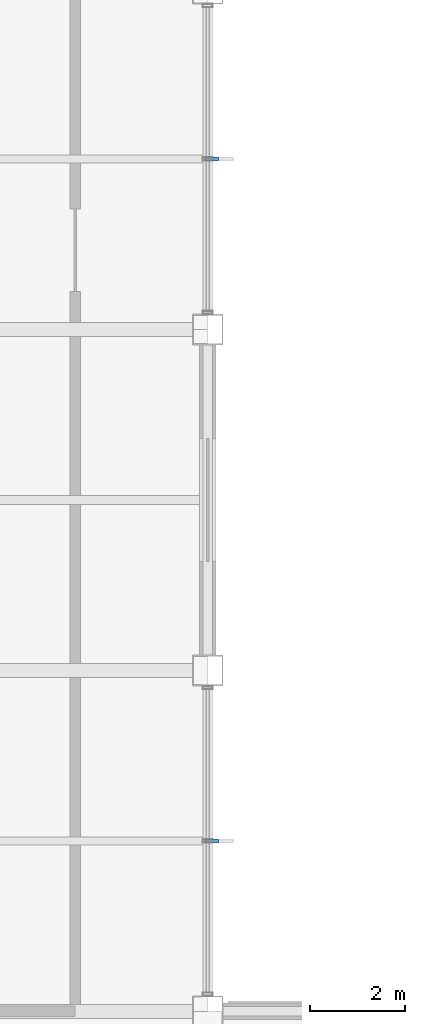
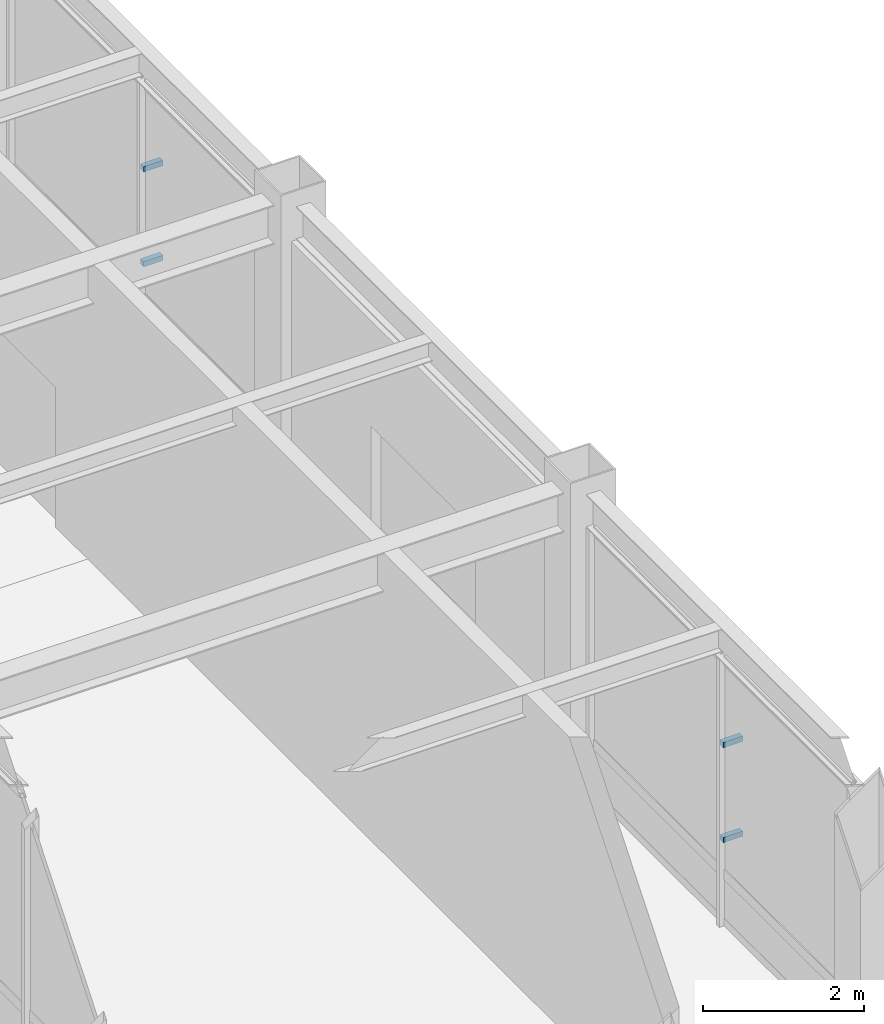
# One storey, part 99 of 112: 4 discrete accessories.
"""IFC4 building model written with IfcOpenShell, lengths in metres."""

from ifc_helpers import new_model, si_unit, direction, frame, origin, origin_2d, place, context, subcontext, project, spatial, rectangle, extrude, material, type_object, element, save


model = new_model("IFC4")

# Units and contexts
model_context = context("Model", 3, precision=1e-05, world=origin(), true_north=direction((0.0, 1.0)))
body_context = subcontext(model_context, "Body", "Model", "MODEL_VIEW")
ifc_project = project(units=[si_unit("LENGTHUNIT", "METRE"), si_unit("AREAUNIT", "SQUARE_METRE"), si_unit("VOLUMEUNIT", "CUBIC_METRE"), si_unit("PLANEANGLEUNIT", "RADIAN"), si_unit("MASSUNIT", "GRAM", prefix="KILO")], contexts=[model_context])

# Site, building, storey
site_placement = place(None, origin())
site = spatial("IfcSite", under=ifc_project, at=site_placement, CompositionType="ELEMENT")
building_placement = place(site_placement, origin())
building = spatial("IfcBuilding", under=site, at=building_placement, Name="Kazanami Central Library", CompositionType="ELEMENT")
storey_placement = place(building_placement, origin())
storey = spatial("IfcBuildingStorey", under=building, at=storey_placement, Name="L01", CompositionType="ELEMENT", Elevation=0.0)

# Discrete accessories
ifc_material = material(Name="Stainless Steel SUS304", Category="steel")
discrete_accessory_type = type_object("IfcDiscreteAccessoryType", Name="ACC-BRK-1", PredefinedType="BRACKET", material=ifc_material)
for number, where, z_axis, x_axis, name in (
    (1, (54.090087890625, 39.60009765625, 1.267578125), (0.0, 0.0, 1.0), (0.0, -1.0, 0.0), "Solar Fin Outrigger Bracket L01 E-7-05.1.1"),
    (2, (54.090087890625, 39.60009765625, 2.70751953125), (0.0, 0.0, 1.0), (0.0, -1.0, 0.0), "Solar Fin Outrigger Bracket L01 E-7-05.1.2"),
    (3, (54.090087890625, 54.0, 1.267578125), (0.0, 0.0, 1.0), (0.0, -1.0, 0.0), "Solar Fin Outrigger Bracket L01 E-7-07.1.1"),
    (4, (54.090087890625, 54.0, 2.70751953125), (0.0, 0.0, 1.0), (0.0, -1.0, 0.0), "Solar Fin Outrigger Bracket L01 E-7-07.1.2"),
):
    element("IfcDiscreteAccessory", number, at=place(storey_placement, frame(where, z_axis=z_axis, x_axis=x_axis)), inside=storey, type_object=discrete_accessory_type, Name=name, PredefinedType="BRACKET", context=body_context, shape_type="SweptSolid", body=[
        extrude(rectangle(XDim=0.080078125, YDim=0.280029296875, at=origin_2d()), origin(), (0.0, 0.0, 1.0), 0.080078125),
    ])

save(model, "model.ifc")
